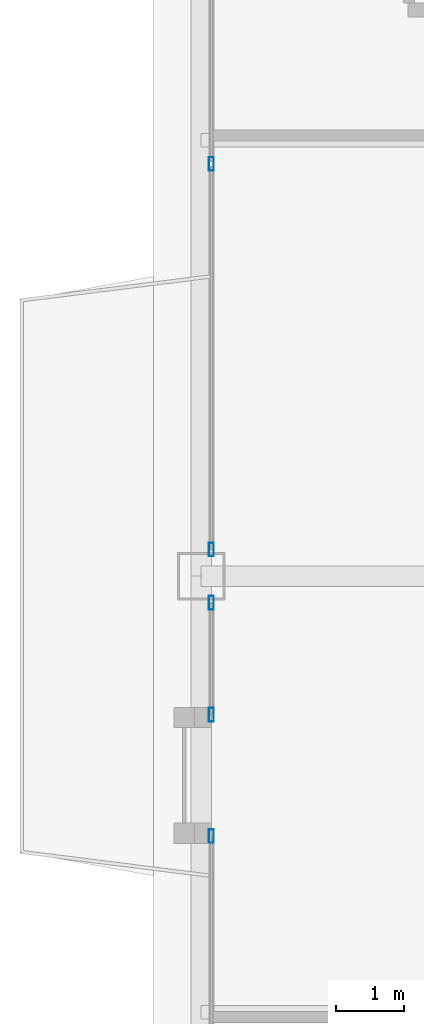
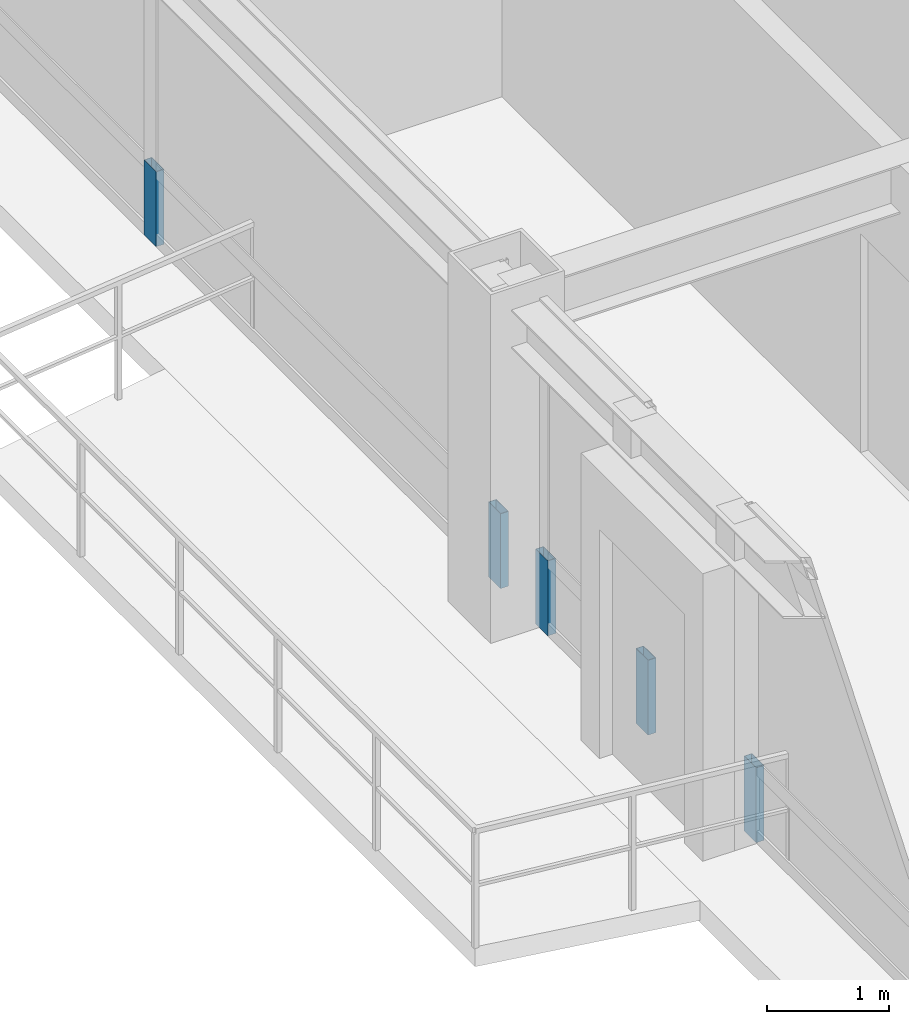
# One storey, part 21 of 33: 5 members, 3 elements without a shape of their own.
"""IFC4 building model written with IfcOpenShell, lengths in metres."""

from ifc_helpers import new_model, si_unit, direction, frame, origin, origin_2d, place, context, subcontext, project, spatial, hollow_rectangle, extrude, source, transform, mapped, material, layer, layer_set, material_profile, profile_set, type_object, element, aggregate, save


model = new_model("IFC4")

# Units and contexts
model_context = context("Model", 3, precision=1e-05, world=origin(), true_north=direction((0.0, 1.0)))
body_context = subcontext(model_context, "Body", "Model", "MODEL_VIEW")
ifc_project = project(units=[si_unit("LENGTHUNIT", "METRE"), si_unit("AREAUNIT", "SQUARE_METRE"), si_unit("VOLUMEUNIT", "CUBIC_METRE"), si_unit("PLANEANGLEUNIT", "RADIAN"), si_unit("MASSUNIT", "GRAM", prefix="KILO"), si_unit("THERMODYNAMICTEMPERATUREUNIT", "KELVIN"), si_unit("POWERUNIT", "WATT")], contexts=[model_context])

# Site, building, storey
site_placement = place(None, origin())
site = spatial("IfcSite", under=ifc_project, at=site_placement, CompositionType="ELEMENT")
building_placement = place(site_placement, origin())
building = spatial("IfcBuilding", under=site, at=building_placement, Name="Yuzanri Waterfront Tower", CompositionType="ELEMENT")
storey_placement = place(building_placement, frame((0.0, 0.0, 321.699951171875)))
storey = spatial("IfcBuildingStorey", under=building, at=storey_placement, Name="L86", CompositionType="ELEMENT", Elevation=321.699951171875)

# Curtain wall, member
ifc_material_1 = material(Name="Anodized Architectural Bronze", Category="metal")
ifc_layer = layer(ifc_material_1, 0.159912109375)
ifc_layer_set = layer_set([ifc_layer], Name="Anodized Architectural Bronze")
curtain_wall_type = type_object("IfcCurtainWallType", Name="Anodized Bronze High-Rise Penthouse High-Wind Unitized Curtain Wall 6900", PredefinedType="NOTDEFINED", material=ifc_layer_set)
curtain_wall_1_placement = place(storey_placement, origin())
curtain_wall_1 = element("IfcCurtainWall", 1, at=curtain_wall_1_placement, inside=storey, type_object=curtain_wall_type, Name="L86 Curtain Wall CW-L86-WL1", PredefinedType="NOTDEFINED")
ifc_material_2 = material(Name="Anodized Architectural Bronze", Category="metal")
ifc_material_profile = material_profile(ifc_material_2, hollow_rectangle(XDim=0.074951171875, YDim=0.199951171875, WallThickness=0.00390625, at=origin_2d()), Name="CWM 75x200")
ifc_profile_set = profile_set([ifc_material_profile], Name="Anodized Architectural Bronze")
member_type = type_object("IfcMemberType", Name="Anodized Bronze Primary Curtain-Wall Mullion 75x200", PredefinedType="MULLION", material=ifc_profile_set)
shared_shape = source(origin(), body_context, "Body", "SweptSolid", [
    extrude(hollow_rectangle(XDim=0.074951171875, YDim=0.199951171875, WallThickness=0.00390625, at=origin_2d()), origin(), (0.0, 0.0, 1.0), 0.751953125),
])
member_1_placement = place(storey_placement, frame((18.050048828125, 21.985107421875, 0.0), z_axis=(0.0, 0.0, 1.0), x_axis=(1.0, 0.0, 0.0)))
member_1 = element("IfcMember", 2, at=member_1_placement, type_object=member_type, Name="CW-L86-WL1 Lower Mullion 01", PredefinedType="MULLION", context=body_context, shape_type="MappedRepresentation", body=[
    mapped(shared_shape, transform((0.0, 0.0, 0.0), scale=1.0)),
])
aggregate(curtain_wall_1, [member_1])

# Curtain wall, members
curtain_wall_2_placement = place(storey_placement, origin())
curtain_wall_2 = element("IfcCurtainWall", 3, at=curtain_wall_2_placement, inside=storey, type_object=curtain_wall_type, Name="L86 Curtain Wall CW-L86-WL2", PredefinedType="NOTDEFINED")
member_2_placement = place(storey_placement, frame((18.050048828125, 23.764892578125, 0.0), z_axis=(0.0, 0.0, 1.0), x_axis=(1.0, 0.0, 0.0)))
member_2 = element("IfcMember", 4, at=member_2_placement, type_object=member_type, Name="CW-L86-WL2 Lower Mullion 00", PredefinedType="MULLION", context=body_context, shape_type="MappedRepresentation", body=[
    mapped(shared_shape, transform((0.0, 0.0, 0.0), scale=1.0)),
])
member_3_placement = place(storey_placement, frame((18.050048828125, 25.409912109375, 0.0), z_axis=(0.0, 0.0, 1.0), x_axis=(1.0, 0.0, 0.0)))
member_3 = element("IfcMember", 5, at=member_3_placement, type_object=member_type, Name="CW-L86-WL2 Lower Mullion 01", PredefinedType="MULLION", context=body_context, shape_type="MappedRepresentation", body=[
    mapped(shared_shape, transform((0.0, 0.0, 0.0), scale=1.0)),
])
aggregate(curtain_wall_2, [member_2, member_3])

curtain_wall_3_placement = place(storey_placement, origin())
curtain_wall_3 = element("IfcCurtainWall", 6, at=curtain_wall_3_placement, inside=storey, type_object=curtain_wall_type, Name="L86 Curtain Wall CW-L86-WR", PredefinedType="NOTDEFINED")
member_4_placement = place(storey_placement, frame((18.050048828125, 26.18994140625, 0.0), z_axis=(0.0, 0.0, 1.0), x_axis=(1.0, 0.0, 0.0)))
member_4 = element("IfcMember", 7, at=member_4_placement, type_object=member_type, Name="CW-L86-WR Lower Mullion 00", PredefinedType="MULLION", context=body_context, shape_type="MappedRepresentation", body=[
    mapped(shared_shape, transform((0.0, 0.0, 0.0), scale=1.0)),
])
member_5_placement = place(storey_placement, frame((18.050048828125, 31.85009765625, 0.0), z_axis=(0.0, 0.0, 1.0), x_axis=(1.0, 0.0, 0.0)))
member_5 = element("IfcMember", 8, at=member_5_placement, type_object=member_type, Name="CW-L86-WR Lower Mullion 01", PredefinedType="MULLION", context=body_context, shape_type="MappedRepresentation", body=[
    mapped(shared_shape, transform((0.0, 0.0, 0.0), scale=1.0)),
])
aggregate(curtain_wall_3, [member_4, member_5])

save(model, "model.ifc")
